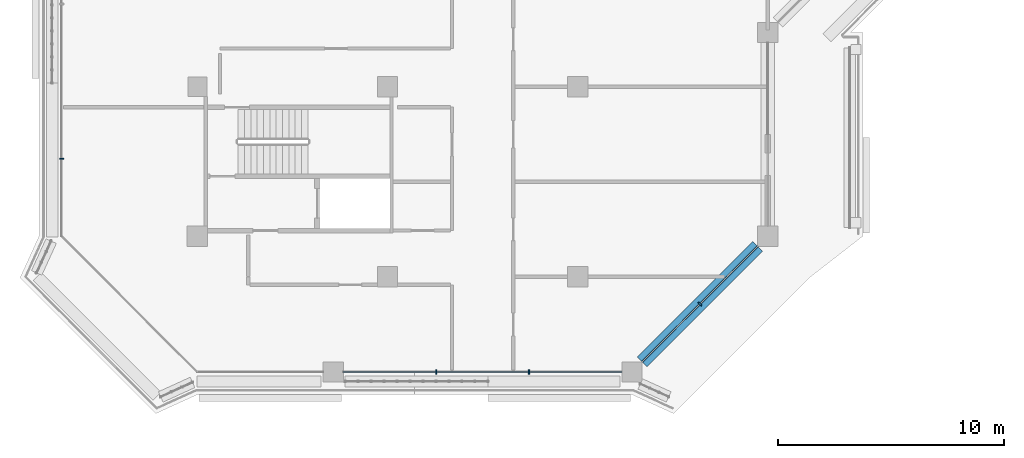
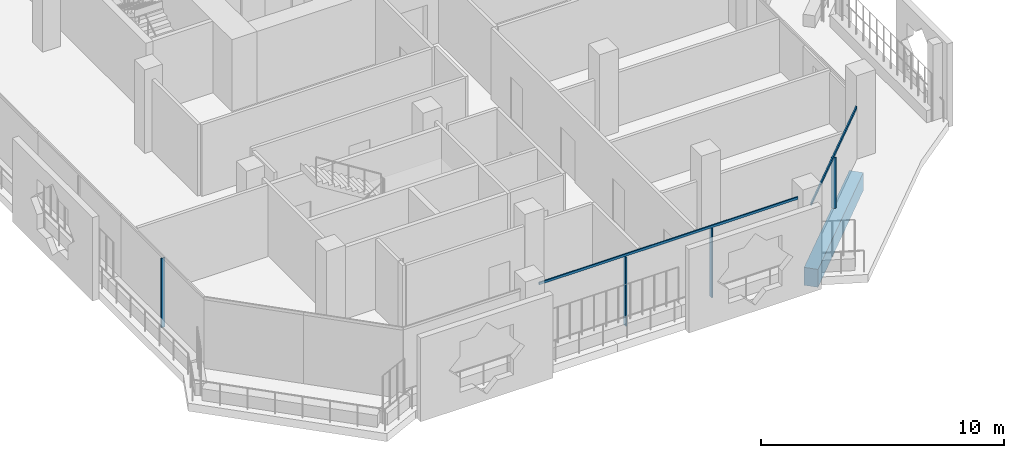
# One storey, part 2 of 21: 6 members, 1 beam, 3 elements without a shape of their own.
"""IFC4 building model written with IfcOpenShell, lengths in metres."""

from ifc_helpers import new_model, si_unit, direction, frame, origin, origin_2d, place, context, subcontext, project, spatial, rectangle, extrude, material, layer, layer_set, material_profile, profile_set, type_object, element, aggregate, save


model = new_model("IFC4")

# Units and contexts
model_context = context("Model", 3, precision=1e-05, world=origin(), true_north=direction((0.0, 1.0)))
body_context = subcontext(model_context, "Body", "Model", "MODEL_VIEW")
ifc_project = project(units=[si_unit("LENGTHUNIT", "METRE"), si_unit("AREAUNIT", "SQUARE_METRE"), si_unit("VOLUMEUNIT", "CUBIC_METRE"), si_unit("PLANEANGLEUNIT", "RADIAN"), si_unit("MASSUNIT", "GRAM", prefix="KILO")], contexts=[model_context])

# Site, building, storey
site_placement = place(None, origin())
site = spatial("IfcSite", under=ifc_project, at=site_placement, CompositionType="ELEMENT")
building_placement = place(site_placement, origin())
building = spatial("IfcBuilding", under=site, at=building_placement, Name="Kawkab Arch Medical Tower", CompositionType="ELEMENT")
storey_placement = place(building_placement, frame((0.0, 0.0, 234.800048828125)))
storey = spatial("IfcBuildingStorey", under=building, at=storey_placement, Name="L54", CompositionType="ELEMENT", Elevation=234.800048828125)

# Curtain wall, member
ifc_material_1 = material(Name="Bronze anodised aluminium curtain wall frame", Category="aluminium")
ifc_layer_1 = layer(ifc_material_1, 0.159912109375)
ifc_layer_set_1 = layer_set([ifc_layer_1], Name="Bronze anodised aluminium curtain wall frame")
curtain_wall_type_1 = type_object("IfcCurtainWallType", Name="CW1 ward curtain wall", PredefinedType="NOTDEFINED", material=ifc_layer_set_1)
placement = place(storey_placement, origin())
curtain_wall_1 = element("IfcCurtainWall", 1, at=placement, inside=storey, type_object=curtain_wall_type_1, Name="CW1 Ward curtain wall R01", PredefinedType="NOTDEFINED")
ifc_material_2 = material(Name="Bronze anodised aluminium curtain wall frame", Category="aluminium")
ifc_material_profile_1 = material_profile(ifc_material_2, rectangle(XDim=0.179931640625, YDim=0.06005859375, at=origin_2d()), Name="AL 60x180")
ifc_profile_set_1 = profile_set([ifc_material_profile_1], Name="Bronze anodised aluminium curtain wall frame")
member_type_1 = type_object("IfcMemberType", Name="CW1 mullion 60 x 180", PredefinedType="MULLION", material=ifc_profile_set_1)
member_1_placement = place(storey_placement, frame((-6.0, -36.780029296875, 0.0), z_axis=(0.0, 0.0, 1.0), x_axis=(1.0, 0.0, 0.0)))
member_1 = element("IfcMember", 2, at=member_1_placement, type_object=member_type_1, Name="CW1 mullion 5.1", PredefinedType="MULLION", context=body_context, shape_type="SweptSolid", body=[
    extrude(rectangle(XDim=0.179931640625, YDim=0.06005859375, at=origin_2d()), origin(), (0.0, 0.0, 1.0), 3.47998046875),
])
aggregate(curtain_wall_1, [member_1])

# Curtain wall, members
curtain_wall_2 = element("IfcCurtainWall", 3, at=placement, inside=storey, type_object=curtain_wall_type_1, Name="CW1 Ward curtain wall R03", PredefinedType="NOTDEFINED")
member_2_placement = place(storey_placement, frame((10.550048828125, -46.199951171875, 0.0), z_axis=(0.0, 0.0, 1.0), x_axis=(0.0, 1.0, 0.0)))
member_2 = element("IfcMember", 4, at=member_2_placement, type_object=member_type_1, Name="CW1 mullion 2.1", PredefinedType="MULLION", context=body_context, shape_type="SweptSolid", body=[
    extrude(rectangle(XDim=0.179931640625, YDim=0.06005859375, at=origin_2d()), origin(), (0.0, 0.0, 1.0), 3.47998046875),
])
member_3_placement = place(storey_placement, frame((14.64990234375, -46.199951171875, 0.0), z_axis=(0.0, 0.0, 1.0), x_axis=(0.0, 1.0, 0.0)))
member_3 = element("IfcMember", 5, at=member_3_placement, type_object=member_type_1, Name="CW1 mullion 2.2", PredefinedType="MULLION", context=body_context, shape_type="SweptSolid", body=[
    extrude(rectangle(XDim=0.179931640625, YDim=0.06005859375, at=origin_2d()), origin(), (0.0, 0.0, 1.0), 3.47998046875),
])
ifc_material_3 = material(Name="Bronze anodised aluminium curtain wall frame", Category="aluminium")
ifc_material_profile_2 = material_profile(ifc_material_3, rectangle(XDim=0.06005859375, YDim=0.1201171875, at=origin_2d()), Name="AL 60x120")
ifc_profile_set_2 = profile_set([ifc_material_profile_2], Name="Bronze anodised aluminium curtain wall frame")
member_type_2 = type_object("IfcMemberType", Name="CW1 transom 120 x 60", PredefinedType="USERDEFINED", material=ifc_profile_set_2)
member_4_placement = place(storey_placement, frame((6.449951171875, -46.199951171875, 3.5400390625), z_axis=(1.0, 0.0, 0.0), x_axis=(0.0, 1.0, 0.0)))
member_4 = element("IfcMember", 6, at=member_4_placement, type_object=member_type_2, Name="CW1 transom 2", ObjectType="TRANSOM", PredefinedType="USERDEFINED", context=body_context, shape_type="SweptSolid", body=[
    extrude(rectangle(XDim=0.06005859375, YDim=0.1201171875, at=origin_2d()), origin(), (0.0, 0.0, 1.0), 12.300048828125),
])
aggregate(curtain_wall_2, [member_4, member_2, member_3])

ifc_material_4 = material(Name="Bronze anodised aluminium curtain wall frame", Category="aluminium")
ifc_layer_2 = layer(ifc_material_4, 0.159912109375)
ifc_layer_set_2 = layer_set([ifc_layer_2], Name="Bronze anodised aluminium curtain wall frame")
curtain_wall_type_2 = type_object("IfcCurtainWallType", Name="CW2 chamfer curtain wall", PredefinedType="NOTDEFINED", material=ifc_layer_set_2)
curtain_wall_3 = element("IfcCurtainWall", 7, at=placement, inside=storey, type_object=curtain_wall_type_2, Name="CW2 Chamfer curtain wall R04", PredefinedType="NOTDEFINED")
ifc_material_5 = material(Name="Bronze anodised aluminium curtain wall frame", Category="aluminium")
ifc_material_profile_3 = material_profile(ifc_material_5, rectangle(XDim=0.199951171875, YDim=0.06005859375, at=origin_2d()), Name="AL 60x200")
ifc_profile_set_3 = profile_set([ifc_material_profile_3], Name="Bronze anodised aluminium curtain wall frame")
member_type_3 = type_object("IfcMemberType", Name="CW2 mullion 60 x 200", PredefinedType="MULLION", material=ifc_profile_set_3)
member_5_placement = place(storey_placement, frame((22.199951171875, -43.199951171875, 0.0), z_axis=(0.0, 0.0, 1.0), x_axis=(-0.707106781187, 0.707106781187, 0.0)))
member_5 = element("IfcMember", 8, at=member_5_placement, type_object=member_type_3, Name="CW2 mullion 1.1", PredefinedType="MULLION", context=body_context, shape_type="SweptSolid", body=[
    extrude(rectangle(XDim=0.199951171875, YDim=0.06005859375, at=origin_2d()), origin(), (0.0, 0.0, 1.0), 2.56005859375),
])
ifc_material_6 = material(Name="Bronze anodised aluminium curtain wall frame", Category="aluminium")
ifc_material_profile_4 = material_profile(ifc_material_6, rectangle(XDim=0.06005859375, YDim=0.139892578125, at=origin_2d()), Name="AL 60x140")
ifc_profile_set_4 = profile_set([ifc_material_profile_4], Name="Bronze anodised aluminium curtain wall frame")
member_type_4 = type_object("IfcMemberType", Name="CW2 transom 140 x 60", PredefinedType="USERDEFINED", material=ifc_profile_set_4)
member_6_placement = place(storey_placement, frame((19.64990234375, -45.75, 2.6298828125), z_axis=(0.707106781187, 0.707106781187, 0.0), x_axis=(-0.707106781187, 0.707106781187, 0.0)))
member_6 = element("IfcMember", 9, at=member_6_placement, type_object=member_type_4, Name="CW2 transom 1", ObjectType="TRANSOM", PredefinedType="USERDEFINED", context=body_context, shape_type="SweptSolid", body=[
    extrude(rectangle(XDim=0.06005859375, YDim=0.139892578125, at=origin_2d()), origin(), (0.0, 0.0, 1.0), 7.212646484375),
])
aggregate(curtain_wall_3, [member_6, member_5])

# Beam
ifc_material_7 = material(Name="Concrete C45/55", Category="concrete")
ifc_material_profile_5 = material_profile(ifc_material_7, rectangle(XDim=0.60009765625, YDim=0.89990234375, at=origin_2d()), Name="RC 600x900")
ifc_profile_set_5 = profile_set([ifc_material_profile_5], Name="Concrete C45/55")
beam_type = type_object("IfcBeamType", Name="RC 600x900 beam C45/55", PredefinedType="BEAM", material=ifc_profile_set_5)
beam_placement = place(storey_placement, frame((24.75, -40.64990234375, -1.050048828125), z_axis=(-0.707106781187, -0.707106781187, 0.0), x_axis=(0.707106781187, -0.707106781187, 0.0)))
element("IfcBeam", 10, at=beam_placement, inside=storey, type_object=beam_type, Name="Overhang edge beam L54-06", PredefinedType="BEAM", context=body_context, shape_type="SweptSolid", body=[
    extrude(rectangle(XDim=0.60009765625, YDim=0.89990234375, at=origin_2d()), origin(), (0.0, 0.0, 1.0), 7.212646484375),
])

save(model, "model.ifc")
